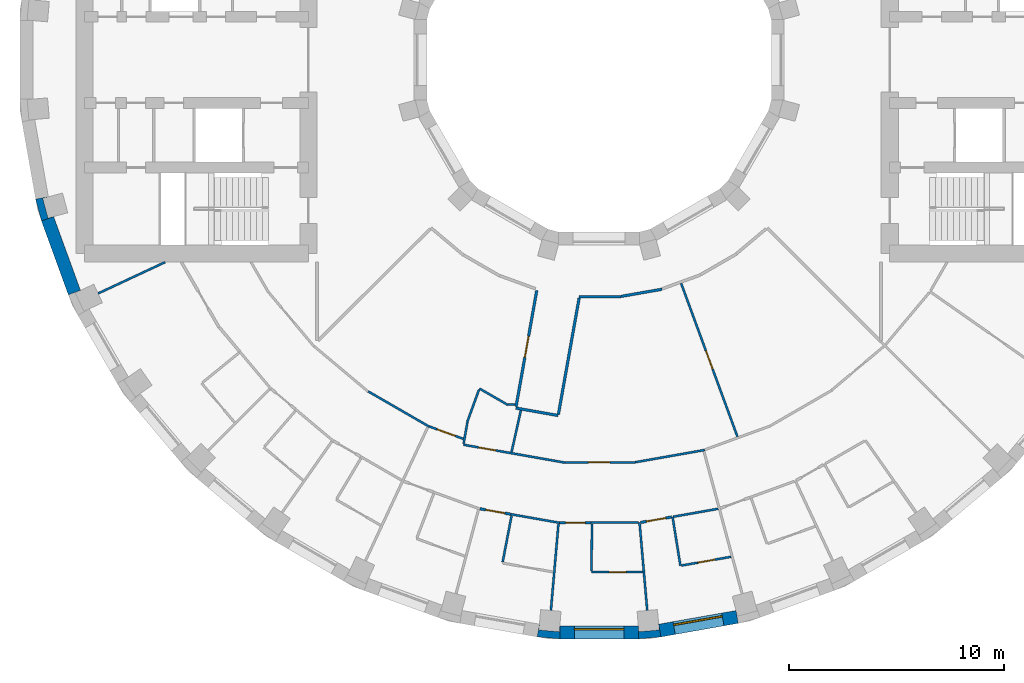
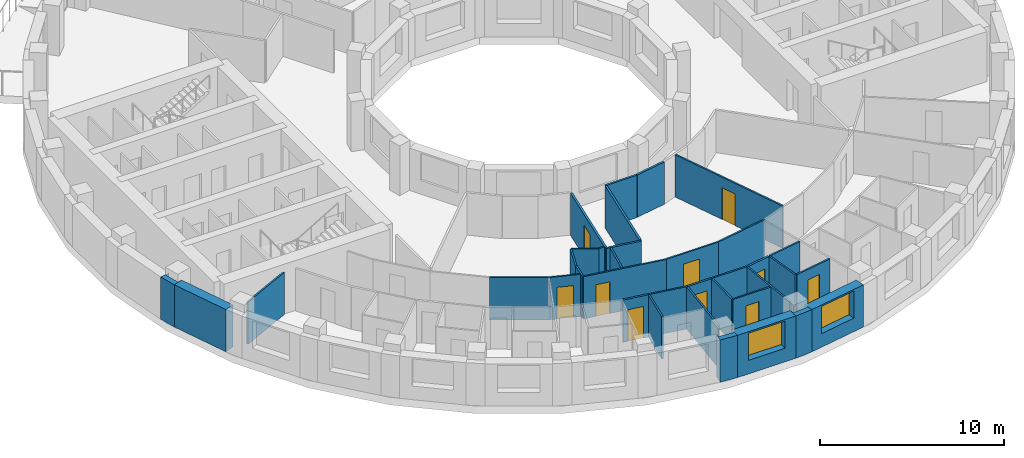
# One storey, part 5 of 14: 36 walls, 10 doors, 2 windows, 12 openings.
"""IFC4 building model written with IfcOpenShell, lengths in metres."""

from ifc_helpers import new_model, si_unit, direction, frame, frame_2d, origin, place, context, subcontext, project, spatial, polyline, rectangle, outline, extrude, material, layer, layer_set, type_object, element, fill, save


model = new_model("IFC4")

# Units and contexts
model_context = context("Model", 3, precision=1e-05, world=origin(), true_north=direction((0.0, 1.0)))
body_context = subcontext(model_context, "Body", "Model", "MODEL_VIEW")
ifc_project = project(units=[si_unit("LENGTHUNIT", "METRE"), si_unit("AREAUNIT", "SQUARE_METRE"), si_unit("VOLUMEUNIT", "CUBIC_METRE"), si_unit("PLANEANGLEUNIT", "RADIAN"), si_unit("MASSUNIT", "GRAM", prefix="KILO")], contexts=[model_context])

# Site, building, storey
site_placement = place(None, origin())
site = spatial("IfcSite", under=ifc_project, at=site_placement, CompositionType="ELEMENT")
building_placement = place(site_placement, origin())
building = spatial("IfcBuilding", under=site, at=building_placement, Name="Saqina Gate Tower", CompositionType="ELEMENT")
storey_placement = place(building_placement, frame((0.0, 0.0, 91.89990234375)))
storey = spatial("IfcBuildingStorey", under=building, at=storey_placement, Name="L25", CompositionType="ELEMENT", Elevation=91.89990234375)

# Walls
ifc_material_1 = material(Name="Brick masonry (buff)", Category="masonry")
wall_type_1 = type_object("IfcWallType", Name="BRICK PIER COPING BUFF", PredefinedType="SOLIDWALL", material=ifc_material_1)
wall_1_placement = place(storey_placement, origin())
element("IfcWall", 1, at=wall_1_placement, inside=storey, type_object=wall_type_1, Name="Pier cap L25 column 20", PredefinedType="SOLIDWALL", context=body_context, shape_type="SweptSolid", body=[
    extrude(outline(polyline([(-26.171875, -6.466796875), (-25.89892578125, -7.485595703125), (-25.335205078125, -7.2802734375), (-25.5947265625, -7.349853515625), (-25.8408203125, -6.43212890625), (-25.5810546875, -6.36279296875), (-26.171875, -6.466796875)])), origin(), (0.0, 0.0, 1.0), 2.800048828125),
])
wall_2_placement = place(storey_placement, origin())
element("IfcWall", 2, at=wall_2_placement, inside=storey, type_object=wall_type_1, Name="Pier cap L25 column 27", PredefinedType="SOLIDWALL", context=body_context, shape_type="SweptSolid", body=[
    extrude(outline(polyline([(-2.87451171875, -26.805419921875), (-1.823974609375, -26.897216796875), (-1.823974609375, -26.29736328125), (-1.847412109375, -26.565185546875), (-2.793701171875, -26.482421875), (-2.770263671875, -26.214599609375), (-2.87451171875, -26.805419921875)])), origin(), (0.0, 0.0, 1.0), 2.800048828125),
])
wall_3_placement = place(storey_placement, origin())
element("IfcWall", 3, at=wall_3_placement, inside=storey, type_object=wall_type_1, Name="Pier cap L25 column 28", PredefinedType="SOLIDWALL", context=body_context, shape_type="SweptSolid", body=[
    extrude(outline(polyline([(2.87451171875, -26.805419921875), (2.770263671875, -26.214599609375), (2.793701171875, -26.482421875), (1.847412109375, -26.565185546875), (1.823974609375, -26.29736328125), (1.823974609375, -26.897216796875), (2.87451171875, -26.805419921875)])), origin(), (0.0, 0.0, 1.0), 2.800048828125),
])

# Wall, opening, window
ifc_material_2 = material(Name="Brick masonry (buff)", Category="masonry")
ifc_layer_1 = layer(ifc_material_2, 0.60009765625)
ifc_layer_set_1 = layer_set([ifc_layer_1], Name="FW-BRICK-BUFF")
wall_type_2 = type_object("IfcWallType", Name="FW-BRICK-BUFF", PredefinedType="SOLIDWALL", material=ifc_layer_set_1)
wall_4_placement = place(storey_placement, frame((-1.823974609375, -26.59716796875, 0.0), z_axis=(0.0, 0.0, 1.0), x_axis=(1.0, 0.0, 0.0)))
wall_4 = element("IfcWall", 4, at=wall_4_placement, inside=storey, type_object=wall_type_2, Name="Facade wall L25 facet 27", PredefinedType="SOLIDWALL", context=body_context, shape_type="SweptSolid", body=[
    extrude(rectangle(XDim=3.64794921875, YDim=0.60009765625, at=frame_2d((1.823974609375, 0.0))), origin(), (0.0, 0.0, 1.0), 2.800048828125),
])
opening_1_placement = place(wall_4_placement, frame((0.673828125, 0.0, 0.89990234375)))
opening_1 = element("IfcOpeningElement", 5, at=opening_1_placement, cuts=wall_4, Name="Opening G07-W16", PredefinedType="OPENING", context=body_context, shape_type="SweptSolid", body=[
    extrude(rectangle(XDim=2.300048828125, YDim=1.800048828125, at=frame_2d((1.14990234375, 0.89990234375))), frame((0.0, 0.31201171875, 0.0), z_axis=(0.0, -1.0, 0.0), x_axis=(1.0, 0.0, 0.0)), (0.0, 0.0, 1.0), 0.6240234375),
])
ifc_material_3 = material(Name="Aluminium glazing", Category="aluminium")
window_type = type_object("IfcWindowType", Name="WN-B", PartitioningType="SINGLE_PANEL", PredefinedType="WINDOW", material=ifc_material_3)
window_1_placement = place(opening_1_placement, origin())
window_1 = element("IfcWindow", 6, at=window_1_placement, inside=storey, type_object=window_type, Name="Window L25 facet 27", OverallHeight=1.800048828125, OverallWidth=2.300048828125, PartitioningType="SINGLE_PANEL", PredefinedType="WINDOW", context=body_context, shape_type="SweptSolid", body=[
    extrude(rectangle(XDim=2.300048828125, YDim=1.800048828125, at=frame_2d((1.14990234375, 0.89990234375))), frame((0.0, 0.179931640625, 0.0), z_axis=(0.0, -1.0, 0.0), x_axis=(1.0, 0.0, 0.0)), (0.0, 0.0, 1.0), 0.06005859375),
])
fill(opening_1, window_1)

wall_5_placement = place(storey_placement, frame((2.822265625, -26.510009765625, 0.0), z_axis=(0.0, 0.0, 1.0), x_axis=(0.984803764455, 0.173670796382, 0.0)))
wall_5 = element("IfcWall", 7, at=wall_5_placement, inside=storey, type_object=wall_type_2, Name="Facade wall L25 facet 28", PredefinedType="SOLIDWALL", context=body_context, shape_type="SweptSolid", body=[
    extrude(rectangle(XDim=3.64794921875, YDim=0.60009765625, at=frame_2d((1.823974609375, 0.0))), origin(), (0.0, 0.0, 1.0), 2.800048828125),
])
opening_2_placement = place(wall_5_placement, frame((0.673828125, 0.0, 0.89990234375)))
opening_2 = element("IfcOpeningElement", 8, at=opening_2_placement, cuts=wall_5, Name="Opening G07-W17", PredefinedType="OPENING", context=body_context, shape_type="SweptSolid", body=[
    extrude(rectangle(XDim=2.300048828125, YDim=1.800048828125, at=frame_2d((1.14990234375, 0.89990234375))), frame((0.0, 0.31201171875, 0.0), z_axis=(0.0, -1.0, 0.0), x_axis=(1.0, 0.0, 0.0)), (0.0, 0.0, 1.0), 0.6240234375),
])
window_2_placement = place(opening_2_placement, origin())
window_2 = element("IfcWindow", 9, at=window_2_placement, inside=storey, type_object=window_type, Name="Window L25 facet 28", OverallHeight=1.800048828125, OverallWidth=2.300048828125, PartitioningType="SINGLE_PANEL", PredefinedType="WINDOW", context=body_context, shape_type="SweptSolid", body=[
    extrude(rectangle(XDim=2.300048828125, YDim=1.800048828125, at=frame_2d((1.14990234375, 0.89990234375))), frame((0.0, 0.179931640625, 0.0), z_axis=(0.0, -1.0, 0.0), x_axis=(1.0, 0.0, 0.0)), (0.0, 0.0, 1.0), 0.06005859375),
])
fill(opening_2, window_2)

# Walls
ifc_material_4 = material(Name="Glazed ceramic tile", Category="ceramic")
ifc_layer_2 = layer(ifc_material_4, 0.60009765625)
ifc_layer_set_2 = layer_set([ifc_layer_2], Name="FW-TILE")
wall_type_3 = type_object("IfcWallType", Name="FW-TILE", PredefinedType="SOLIDWALL", material=ifc_layer_set_2)
wall_6_placement = place(storey_placement, frame((-25.616943359375, -7.3828125, 0.0), z_axis=(0.0, 0.0, 1.0), x_axis=(0.341990236633, -0.939703505393, 0.0)))
element("IfcWall", 10, at=wall_6_placement, inside=storey, type_object=wall_type_3, Name="Facade wall L25 facet 20", PredefinedType="SOLIDWALL", context=body_context, shape_type="SweptSolid", body=[
    extrude(rectangle(XDim=3.64794921875, YDim=0.60009765625, at=frame_2d((1.823974609375, 0.0))), origin(), (0.0, 0.0, 1.0), 2.800048828125),
])
ifc_material_5 = material(Name="Gypsum board on steel studs, 100 mm", Category="steel")
ifc_layer_3 = layer(ifc_material_5, 0.10009765625)
ifc_layer_set_3 = layer_set([ifc_layer_3], Name="PARTITION 100")
wall_type_4 = type_object("IfcWallType", Name="PARTITION 100", PredefinedType="PARTITIONING", material=ifc_layer_set_3)
wall_7_placement = place(storey_placement, frame((1.881103515625, -21.4970703125, 0.0), z_axis=(0.0, 0.0, 1.0), x_axis=(0.087060211484, -0.996203051379, 0.0)))
element("IfcWall", 11, at=wall_7_placement, inside=storey, type_object=wall_type_4, Name="PARTITION PW3-02", PredefinedType="PARTITIONING", context=body_context, shape_type="SweptSolid", body=[
    extrude(rectangle(XDim=4.0859375, YDim=0.10009765625, at=frame_2d((2.04296875, 0.0))), origin(), (0.0, 0.0, 1.0), 2.800048828125),
])
wall_8_placement = place(storey_placement, frame((3.4140625, -21.22705078125, 0.0), z_axis=(0.0, 0.0, 1.0), x_axis=(0.15868179071, -0.987329777378, 0.0)))
element("IfcWall", 12, at=wall_8_placement, inside=storey, type_object=wall_type_4, Name="PARTITION PW3-03", PredefinedType="PARTITIONING", context=body_context, shape_type="SweptSolid", body=[
    extrude(rectangle(XDim=2.300048828125, YDim=0.10009765625, at=frame_2d((1.14990234375, 0.0))), origin(), (0.0, 0.0, 1.0), 2.800048828125),
])

# Wall, opening, door
wall_9_placement = place(storey_placement, frame((3.813232421875, -10.384521484375, 0.0), z_axis=(0.0, 0.0, 1.0), x_axis=(0.344746287393, -0.938695902478, 0.0)))
wall_9 = element("IfcWall", 13, at=wall_9_placement, inside=storey, type_object=wall_type_4, Name="PARTITION PW3-07", PredefinedType="PARTITIONING", context=body_context, shape_type="SweptSolid", body=[
    extrude(rectangle(XDim=7.586669921875, YDim=0.10009765625, at=frame_2d((3.79345703125, 0.0))), origin(), (0.0, 0.0, 1.0), 2.800048828125),
])
opening_3_placement = place(wall_9_placement, frame((3.336181640625, 0.0, 0.0)))
opening_3 = element("IfcOpeningElement", 14, at=opening_3_placement, cuts=wall_9, Name="Opening G07-D44", PredefinedType="OPENING", context=body_context, shape_type="SweptSolid", body=[
    extrude(rectangle(XDim=0.89990234375, YDim=2.10009765625, at=frame_2d((0.449951171875, 1.050048828125))), frame((0.0, 0.06201171875, 0.0), z_axis=(0.0, -1.0, 0.0), x_axis=(1.0, 0.0, 0.0)), (0.0, 0.0, 1.0), 0.1240234375),
])
ifc_material_6 = material(Name="Timber door leaf, 900 mm", Category="wood")
door_type_1 = type_object("IfcDoorType", Name="DOOR 900 TIMBER", OperationType="SINGLE_SWING_LEFT", PredefinedType="DOOR", material=ifc_material_6)
door_1_placement = place(opening_3_placement, origin())
door_1 = element("IfcDoor", 15, at=door_1_placement, inside=storey, type_object=door_type_1, Name="DOOR G07-D44", OperationType="SINGLE_SWING_LEFT", OverallHeight=2.10009765625, OverallWidth=0.89990234375, PredefinedType="DOOR", context=body_context, shape_type="SweptSolid", body=[
    extrude(rectangle(XDim=0.89990234375, YDim=2.10009765625, at=frame_2d((0.449951171875, 1.050048828125))), frame((0.0, 0.02490234375, 0.0), z_axis=(0.0, -1.0, 0.0), x_axis=(1.0, 0.0, 0.0)), (0.0, 0.0, 1.0), 0.050048828125),
])
fill(opening_3, door_1)

# Walls
wall_10_placement = place(storey_placement, frame((-10.72265625, -15.401123046875, 0.0), z_axis=(0.0, 0.0, 1.0), x_axis=(0.866002935623, -0.500038913978, 0.0)))
element("IfcWall", 16, at=wall_10_placement, inside=storey, type_object=wall_type_4, Name="PARTITION PW3-32", PredefinedType="PARTITIONING", context=body_context, shape_type="SweptSolid", body=[
    extrude(rectangle(XDim=3.272216796875, YDim=0.10009765625, at=frame_2d((1.63623046875, 0.0))), origin(), (0.0, 0.0, 1.0), 2.800048828125),
])
wall_11_placement = place(storey_placement, frame((-5.556884765625, -15.26708984375, 0.0), z_axis=(0.0, 0.0, 1.0), x_axis=(0.866084140742, -0.499898250802, 0.0)))
element("IfcWall", 17, at=wall_11_placement, inside=storey, type_object=wall_type_4, Name="PARTITION PW3-33", PredefinedType="PARTITIONING", context=body_context, shape_type="SweptSolid", body=[
    extrude(rectangle(XDim=1.522705078125, YDim=0.10009765625, at=frame_2d((0.76123046875, 0.0))), origin(), (0.0, 0.0, 1.0), 2.800048828125),
])

# Wall, opening, door
wall_12_placement = place(storey_placement, frame((-7.885986328125, -17.029052734375, 0.0), z_axis=(0.0, 0.0, 1.0), x_axis=(0.939806110693, -0.341708171258, 0.0)))
wall_12 = element("IfcWall", 18, at=wall_12_placement, inside=storey, type_object=wall_type_4, Name="PARTITION PW3-38", PredefinedType="PARTITIONING", context=body_context, shape_type="SweptSolid", body=[
    extrude(rectangle(XDim=1.685546875, YDim=0.10009765625, at=frame_2d((0.8427734375, 0.0))), origin(), (0.0, 0.0, 1.0), 2.800048828125),
])
opening_4_placement = place(wall_12_placement, frame((0.392578125, 0.0, 0.0)))
opening_4 = element("IfcOpeningElement", 19, at=opening_4_placement, cuts=wall_12, Name="Opening G07-D32", PredefinedType="OPENING", context=body_context, shape_type="SweptSolid", body=[
    extrude(rectangle(XDim=0.89990234375, YDim=2.10009765625, at=frame_2d((0.449951171875, 1.050048828125))), frame((0.0, 0.06201171875, 0.0), z_axis=(0.0, -1.0, 0.0), x_axis=(1.0, 0.0, 0.0)), (0.0, 0.0, 1.0), 0.1240234375),
])
door_2_placement = place(opening_4_placement, origin())
door_2 = element("IfcDoor", 20, at=door_2_placement, inside=storey, type_object=door_type_1, Name="DOOR G07-D32", OperationType="SINGLE_SWING_RIGHT", OverallHeight=2.10009765625, OverallWidth=0.89990234375, PredefinedType="DOOR", context=body_context, shape_type="SweptSolid", body=[
    extrude(rectangle(XDim=0.89990234375, YDim=2.10009765625, at=frame_2d((0.449951171875, 1.050048828125))), frame((0.0, 0.02490234375, 0.0), z_axis=(0.0, -1.0, 0.0), x_axis=(1.0, 0.0, 0.0)), (0.0, 0.0, 1.0), 0.050048828125),
])
fill(opening_4, door_2)

# Wall
wall_13_placement = place(storey_placement, frame((-4.101318359375, -21.105224609375, 0.0), z_axis=(0.0, 0.0, 1.0), x_axis=(0.984783558818, -0.173785333909, 0.0)))
element("IfcWall", 21, at=wall_13_placement, inside=storey, type_object=wall_type_4, Name="PARTITION PW3-45", PredefinedType="PARTITIONING", context=body_context, shape_type="SweptSolid", body=[
    extrude(rectangle(XDim=2.305419921875, YDim=0.10009765625, at=frame_2d((1.15283203125, 0.0))), origin(), (0.0, 0.0, 1.0), 2.800048828125),
])

# Wall, opening, door
wall_14_placement = place(storey_placement, frame((-6.300048828125, -17.8779296875, 0.0), z_axis=(0.0, 0.0, 1.0), x_axis=(0.984813837489, -0.173613667348, 0.0)))
wall_14 = element("IfcWall", 22, at=wall_14_placement, inside=storey, type_object=wall_type_4, Name="PARTITION PW3-46", PredefinedType="PARTITIONING", context=body_context, shape_type="SweptSolid", body=[
    extrude(rectangle(XDim=4.786865234375, YDim=0.10009765625, at=frame_2d((2.3935546875, 0.0))), origin(), (0.0, 0.0, 1.0), 2.800048828125),
])
opening_5_placement = place(wall_14_placement, frame((0.72900390625, 0.0, 0.0)))
opening_5 = element("IfcOpeningElement", 23, at=opening_5_placement, cuts=wall_14, Name="Opening G07-D34", PredefinedType="OPENING", context=body_context, shape_type="SweptSolid", body=[
    extrude(rectangle(XDim=0.800048828125, YDim=2.10009765625, at=frame_2d((0.39990234375, 1.050048828125))), frame((0.0, 0.06201171875, 0.0), z_axis=(0.0, -1.0, 0.0), x_axis=(1.0, 0.0, 0.0)), (0.0, 0.0, 1.0), 0.1240234375),
])
ifc_material_7 = material(Name="Timber door leaf, 800 mm", Category="wood")
door_type_2 = type_object("IfcDoorType", Name="DOOR 800 TIMBER", OperationType="SINGLE_SWING_LEFT", PredefinedType="DOOR", material=ifc_material_7)
door_3_placement = place(opening_5_placement, frame((0.800048828125, 0.0, 0.0), z_axis=(0.0, 0.0, 1.0), x_axis=(-1.0, 0.0, 0.0)))
door_3 = element("IfcDoor", 24, at=door_3_placement, inside=storey, type_object=door_type_2, Name="DOOR G07-D34", OperationType="SINGLE_SWING_RIGHT", OverallHeight=2.10009765625, OverallWidth=0.800048828125, PredefinedType="DOOR", context=body_context, shape_type="SweptSolid", body=[
    extrude(rectangle(XDim=0.800048828125, YDim=2.10009765625, at=frame_2d((0.39990234375, 1.050048828125))), frame((0.0, 0.02490234375, 0.0), z_axis=(0.0, -1.0, 0.0), x_axis=(1.0, 0.0, 0.0)), (0.0, 0.0, 1.0), 0.050048828125),
])
fill(opening_5, door_3)

wall_15_placement = place(storey_placement, frame((-0.35888671875, -23.797119140625, 0.0), z_axis=(0.0, 0.0, 1.0), x_axis=(1.0, 0.0, 0.0)))
wall_15 = element("IfcWall", 25, at=wall_15_placement, inside=storey, type_object=wall_type_4, Name="PARTITION PW3-50", PredefinedType="PARTITIONING", context=body_context, shape_type="SweptSolid", body=[
    extrude(rectangle(XDim=2.390869140625, YDim=0.10009765625, at=frame_2d((1.1953125, 0.0))), origin(), (0.0, 0.0, 1.0), 2.800048828125),
])
opening_6_placement = place(wall_15_placement, frame((0.820556640625, 0.0, 0.0)))
opening_6 = element("IfcOpeningElement", 26, at=opening_6_placement, cuts=wall_15, Name="Opening G07-D40", PredefinedType="OPENING", context=body_context, shape_type="SweptSolid", body=[
    extrude(rectangle(XDim=0.800048828125, YDim=2.10009765625, at=frame_2d((0.39990234375, 1.050048828125))), frame((0.0, 0.06201171875, 0.0), z_axis=(0.0, -1.0, 0.0), x_axis=(1.0, 0.0, 0.0)), (0.0, 0.0, 1.0), 0.1240234375),
])
door_4_placement = place(opening_6_placement, frame((0.800048828125, 0.0, 0.0), z_axis=(0.0, 0.0, 1.0), x_axis=(-1.0, 0.0, 0.0)))
door_4 = element("IfcDoor", 27, at=door_4_placement, inside=storey, type_object=door_type_2, Name="DOOR G07-D40", OperationType="SINGLE_SWING_LEFT", OverallHeight=2.10009765625, OverallWidth=0.800048828125, PredefinedType="DOOR", context=body_context, shape_type="SweptSolid", body=[
    extrude(rectangle(XDim=0.800048828125, YDim=2.10009765625, at=frame_2d((0.39990234375, 1.050048828125))), frame((0.0, 0.02490234375, 0.0), z_axis=(0.0, -1.0, 0.0), x_axis=(1.0, 0.0, 0.0)), (0.0, 0.0, 1.0), 0.050048828125),
])
fill(opening_6, door_4)

# Wall
wall_16_placement = place(storey_placement, frame((-0.3740234375, -21.4970703125, 0.0), z_axis=(0.0, 0.0, 1.0), x_axis=(1.0, 0.0, 0.0)))
element("IfcWall", 28, at=wall_16_placement, inside=storey, type_object=wall_type_4, Name="PARTITION PW3-51", PredefinedType="PARTITIONING", context=body_context, shape_type="SweptSolid", body=[
    extrude(rectangle(XDim=2.205078125, YDim=0.10009765625, at=frame_2d((1.1025390625, 0.0))), origin(), (0.0, 0.0, 1.0), 2.800048828125),
])

# Wall, opening, door
wall_17_placement = place(storey_placement, frame((-1.5859375, -18.698974609375, 0.0), z_axis=(0.0, 0.0, 1.0), x_axis=(1.0, 0.0, 0.0)))
wall_17 = element("IfcWall", 29, at=wall_17_placement, inside=storey, type_object=wall_type_4, Name="PARTITION PW3-52", PredefinedType="PARTITIONING", context=body_context, shape_type="SweptSolid", body=[
    extrude(rectangle(XDim=3.272705078125, YDim=0.10009765625, at=frame_2d((1.63623046875, 0.0))), origin(), (0.0, 0.0, 1.0), 2.800048828125),
])
opening_7_placement = place(wall_17_placement, frame((1.0859375, 0.0, 0.0)))
opening_7 = element("IfcOpeningElement", 30, at=opening_7_placement, cuts=wall_17, Name="Opening G07-D39", PredefinedType="OPENING", context=body_context, shape_type="SweptSolid", body=[
    extrude(rectangle(XDim=1.0, YDim=2.10009765625, at=frame_2d((0.5, 1.050048828125))), frame((0.0, 0.06201171875, 0.0), z_axis=(0.0, -1.0, 0.0), x_axis=(1.0, 0.0, 0.0)), (0.0, 0.0, 1.0), 0.1240234375),
])
ifc_material_8 = material(Name="Timber door leaf, 1000 mm", Category="wood")
door_type_3 = type_object("IfcDoorType", Name="DOOR 1000 TIMBER", OperationType="SINGLE_SWING_LEFT", PredefinedType="DOOR", material=ifc_material_8)
door_5_placement = place(opening_7_placement, origin())
door_5 = element("IfcDoor", 31, at=door_5_placement, inside=storey, type_object=door_type_3, Name="DOOR G07-D39", OperationType="SINGLE_SWING_LEFT", OverallHeight=2.10009765625, OverallWidth=1.0, PredefinedType="DOOR", context=body_context, shape_type="SweptSolid", body=[
    extrude(rectangle(XDim=1.0, YDim=2.10009765625, at=frame_2d((0.5, 1.050048828125))), frame((0.0, 0.02490234375, 0.0), z_axis=(0.0, -1.0, 0.0), x_axis=(1.0, 0.0, 0.0)), (0.0, 0.0, 1.0), 0.050048828125),
])
fill(opening_7, door_5)

# Wall
wall_18_placement = place(storey_placement, frame((-4.238037109375, -16.001953125, 0.0), z_axis=(0.0, 0.0, 1.0), x_axis=(1.0, 0.0, 0.0)))
element("IfcWall", 32, at=wall_18_placement, inside=storey, type_object=wall_type_4, Name="PARTITION PW3-53", PredefinedType="PARTITIONING", context=body_context, shape_type="SweptSolid", body=[
    extrude(rectangle(XDim=0.339111328125, YDim=0.10009765625, at=frame_2d((0.16943359375, 0.0))), origin(), (0.0, 0.0, 1.0), 2.800048828125),
])

# Wall, opening, door
wall_19_placement = place(storey_placement, frame((3.828125, -23.4892578125, 0.0), z_axis=(0.0, 0.0, 1.0), x_axis=(0.984811890041, 0.173624713778, 0.0)))
wall_19 = element("IfcWall", 33, at=wall_19_placement, inside=storey, type_object=wall_type_4, Name="PARTITION PW3-58", PredefinedType="PARTITIONING", context=body_context, shape_type="SweptSolid", body=[
    extrude(rectangle(XDim=2.34130859375, YDim=0.10009765625, at=frame_2d((1.170654296875, 0.0))), origin(), (0.0, 0.0, 1.0), 2.800048828125),
])
opening_8_placement = place(wall_19_placement, frame((0.7705078125, 0.0, 0.0)))
opening_8 = element("IfcOpeningElement", 34, at=opening_8_placement, cuts=wall_19, Name="Opening G07-D42", PredefinedType="OPENING", context=body_context, shape_type="SweptSolid", body=[
    extrude(rectangle(XDim=0.800048828125, YDim=2.10009765625, at=frame_2d((0.39990234375, 1.050048828125))), frame((0.0, 0.06201171875, 0.0), z_axis=(0.0, -1.0, 0.0), x_axis=(1.0, 0.0, 0.0)), (0.0, 0.0, 1.0), 0.1240234375),
])
door_6_placement = place(opening_8_placement, frame((0.800048828125, 0.0, 0.0), z_axis=(0.0, 0.0, 1.0), x_axis=(-1.0, 0.0, 0.0)))
door_6 = element("IfcDoor", 35, at=door_6_placement, inside=storey, type_object=door_type_2, Name="DOOR G07-D42", OperationType="SINGLE_SWING_LEFT", OverallHeight=2.10009765625, OverallWidth=0.800048828125, PredefinedType="DOOR", context=body_context, shape_type="SweptSolid", body=[
    extrude(rectangle(XDim=0.800048828125, YDim=2.10009765625, at=frame_2d((0.39990234375, 1.050048828125))), frame((0.0, 0.02490234375, 0.0), z_axis=(0.0, -1.0, 0.0), x_axis=(1.0, 0.0, 0.0)), (0.0, 0.0, 1.0), 0.050048828125),
])
fill(opening_8, door_6)

# Walls
wall_20_placement = place(storey_placement, frame((3.4462890625, -21.221435546875, 0.0), z_axis=(0.0, 0.0, 1.0), x_axis=(0.984788192249, 0.173759075753, 0.0)))
element("IfcWall", 36, at=wall_20_placement, inside=storey, type_object=wall_type_4, Name="PARTITION PW3-59", PredefinedType="PARTITIONING", context=body_context, shape_type="SweptSolid", body=[
    extrude(rectangle(XDim=2.12158203125, YDim=0.10009765625, at=frame_2d((1.060791015625, 0.0))), origin(), (0.0, 0.0, 1.0), 2.800048828125),
])
wall_21_placement = place(storey_placement, frame((1.685302734375, -18.6904296875, 0.0), z_axis=(0.0, 0.0, 1.0), x_axis=(0.984801579175, 0.1736831876, 0.0)))
element("IfcWall", 37, at=wall_21_placement, inside=storey, type_object=wall_type_4, Name="PARTITION PW3-60", PredefinedType="PARTITIONING", context=body_context, shape_type="SweptSolid", body=[
    extrude(rectangle(XDim=3.2724609375, YDim=0.10009765625, at=frame_2d((1.63623046875, 0.0))), origin(), (0.0, 0.0, 1.0), 2.800048828125),
])
wall_22_placement = place(storey_placement, frame((-23.260009765625, -10.84716796875, 0.0), z_axis=(0.0, 0.0, 1.0), x_axis=(0.906121146584, 0.423018282954, 0.0)))
element("IfcWall", 38, at=wall_22_placement, inside=storey, type_object=wall_type_4, Name="PARTITION PW3-70", PredefinedType="PARTITIONING", context=body_context, shape_type="SweptSolid", body=[
    extrude(rectangle(XDim=3.42138671875, YDim=0.10009765625, at=frame_2d((1.710693359375, 0.0))), origin(), (0.0, 0.0, 1.0), 2.800048828125),
])
wall_23_placement = place(storey_placement, frame((-6.123291015625, -16.82275390625, 0.0), z_axis=(0.0, 0.0, 1.0), x_axis=(0.342085762609, 0.939668734725, 0.0)))
element("IfcWall", 39, at=wall_23_placement, inside=storey, type_object=wall_type_4, Name="PARTITION PW3-94", PredefinedType="PARTITIONING", context=body_context, shape_type="SweptSolid", body=[
    extrude(rectangle(XDim=1.6015625, YDim=0.10009765625, at=frame_2d((0.80078125, 0.0))), origin(), (0.0, 0.0, 1.0), 2.800048828125),
])
wall_24_placement = place(storey_placement, frame((-4.065185546875, -18.22021484375, 0.0), z_axis=(0.0, 0.0, 1.0), x_axis=(0.218112956179, 0.975923530994, 0.0)))
element("IfcWall", 40, at=wall_24_placement, inside=storey, type_object=wall_type_4, Name="PARTITION PW3-97", PredefinedType="PARTITIONING", context=body_context, shape_type="SweptSolid", body=[
    extrude(rectangle(XDim=1.989013671875, YDim=0.10009765625, at=frame_2d((0.99462890625, 0.0))), origin(), (0.0, 0.0, 1.0), 2.800048828125),
])
wall_25_placement = place(storey_placement, frame((-4.4765625, -23.323974609375, 0.0), z_axis=(0.0, 0.0, 1.0), x_axis=(0.188685986474, 0.982037473067, 0.0)))
element("IfcWall", 41, at=wall_25_placement, inside=storey, type_object=wall_type_4, Name="PARTITION PW3-98", PredefinedType="PARTITIONING", context=body_context, shape_type="SweptSolid", body=[
    extrude(rectangle(XDim=2.18798828125, YDim=0.10009765625, at=frame_2d((1.093994140625, 0.0))), origin(), (0.0, 0.0, 1.0), 2.800048828125),
])
wall_26_placement = place(storey_placement, frame((-6.29150390625, -17.82763671875, 0.0), z_axis=(0.0, 0.0, 1.0), x_axis=(0.174455149241, 0.984665121198, 0.0)))
element("IfcWall", 42, at=wall_26_placement, inside=storey, type_object=wall_type_4, Name="PARTITION PW3-100", PredefinedType="PARTITIONING", context=body_context, shape_type="SweptSolid", body=[
    extrude(rectangle(XDim=1.018798828125, YDim=0.10009765625, at=frame_2d((0.50927734375, 0.0))), origin(), (0.0, 0.0, 1.0), 2.800048828125),
])
wall_27_placement = place(storey_placement, frame((-2.23681640625, -25.5673828125, 0.0), z_axis=(0.0, 0.0, 1.0), x_axis=(0.087137593131, 0.996196285811, 0.0)))
element("IfcWall", 43, at=wall_27_placement, inside=storey, type_object=wall_type_4, Name="PARTITION PW3-102", PredefinedType="PARTITIONING", context=body_context, shape_type="SweptSolid", body=[
    extrude(rectangle(XDim=4.0234375, YDim=0.10009765625, at=frame_2d((2.01171875, 0.0))), origin(), (0.0, 0.0, 1.0), 2.800048828125),
])
wall_28_placement = place(storey_placement, frame((-0.358154296875, -23.7470703125, 0.0), z_axis=(0.0, 0.0, 1.0), x_axis=(0.015176823242, 0.999884825386, 0.0)))
element("IfcWall", 44, at=wall_28_placement, inside=storey, type_object=wall_type_4, Name="PARTITION PW3-104", PredefinedType="PARTITIONING", context=body_context, shape_type="SweptSolid", body=[
    extrude(rectangle(XDim=2.187744140625, YDim=0.10009765625, at=frame_2d((1.09375, 0.0))), origin(), (0.0, 0.0, 1.0), 2.800048828125),
])

# Wall, opening, door
ifc_material_9 = material(Name="Gypsum board on steel studs, 125 mm, fire rated", Category="steel")
ifc_layer_4 = layer(ifc_material_9, 0.125)
ifc_layer_set_4 = layer_set([ifc_layer_4], Name="PARTITION EI 30 125")
wall_type_5 = type_object("IfcWallType", Name="PARTITION EI 30 125", PredefinedType="PARTITIONING", material=ifc_layer_set_4)
wall_29_placement = place(storey_placement, frame((-5.53564453125, -20.852783203125, 0.0), z_axis=(0.0, 0.0, 1.0), x_axis=(0.984862774054, -0.173335848233, 0.0)))
wall_29 = element("IfcWall", 45, at=wall_29_placement, inside=storey, type_object=wall_type_5, Name="PARTITION PW1-23", PredefinedType="PARTITIONING", context=body_context, shape_type="SweptSolid", body=[
    extrude(rectangle(XDim=1.456298828125, YDim=0.125, at=frame_2d((0.72802734375, 0.0))), origin(), (0.0, 0.0, 1.0), 2.800048828125),
])
opening_9_placement = place(wall_29_placement, frame((0.2783203125, 0.0, 0.0)))
opening_9 = element("IfcOpeningElement", 46, at=opening_9_placement, cuts=wall_29, Name="Opening G07-D36", PredefinedType="OPENING", context=body_context, shape_type="SweptSolid", body=[
    extrude(rectangle(XDim=0.89990234375, YDim=2.10009765625, at=frame_2d((0.449951171875, 1.050048828125))), frame((0.0, 0.074462890625, 0.0), z_axis=(0.0, -1.0, 0.0), x_axis=(1.0, 0.0, 0.0)), (0.0, 0.0, 1.0), 0.14892578125),
])
ifc_material_10 = material(Name="Fire door leaf EI 30, 900 mm")
door_type_4 = type_object("IfcDoorType", Name="DOOR 900 EI 30", OperationType="SINGLE_SWING_LEFT", PredefinedType="DOOR", material=ifc_material_10)
door_7_placement = place(opening_9_placement, origin())
door_7 = element("IfcDoor", 47, at=door_7_placement, inside=storey, type_object=door_type_4, Name="DOOR G07-D36", OperationType="SINGLE_SWING_LEFT", OverallHeight=2.10009765625, OverallWidth=0.89990234375, PredefinedType="DOOR", context=body_context, shape_type="SweptSolid", body=[
    extrude(rectangle(XDim=0.89990234375, YDim=2.10009765625, at=frame_2d((0.449951171875, 1.050048828125))), frame((0.0, 0.02490234375, 0.0), z_axis=(0.0, -1.0, 0.0), x_axis=(1.0, 0.0, 0.0)), (0.0, 0.0, 1.0), 0.050048828125),
])
fill(opening_9, door_7)

# Wall
wall_30_placement = place(storey_placement, frame((-3.866943359375, -16.174072265625, 0.0), z_axis=(0.0, 0.0, 1.0), x_axis=(0.984836400178, -0.173485633079, 0.0)))
element("IfcWall", 48, at=wall_30_placement, inside=storey, type_object=wall_type_5, Name="PARTITION PW1-24", PredefinedType="PARTITIONING", context=body_context, shape_type="SweptSolid", body=[
    extrude(rectangle(XDim=1.998291015625, YDim=0.125, at=frame_2d((0.9990234375, 0.0))), origin(), (0.0, 0.0, 1.0), 2.800048828125),
])

# Wall, opening, door
wall_31_placement = place(storey_placement, frame((-1.8310546875, -21.4970703125, 0.0), z_axis=(0.0, 0.0, 1.0), x_axis=(1.0, 0.0, 0.0)))
wall_31 = element("IfcWall", 49, at=wall_31_placement, inside=storey, type_object=wall_type_5, Name="PARTITION PW1-27", PredefinedType="PARTITIONING", context=body_context, shape_type="SweptSolid", body=[
    extrude(rectangle(XDim=1.45703125, YDim=0.125, at=frame_2d((0.728515625, 0.0))), origin(), (0.0, 0.0, 1.0), 2.800048828125),
])
opening_10_placement = place(wall_31_placement, frame((0.278564453125, 0.0, 0.0)))
opening_10 = element("IfcOpeningElement", 50, at=opening_10_placement, cuts=wall_31, Name="Opening G07-D38", PredefinedType="OPENING", context=body_context, shape_type="SweptSolid", body=[
    extrude(rectangle(XDim=0.89990234375, YDim=2.10009765625, at=frame_2d((0.449951171875, 1.050048828125))), frame((0.0, 0.074462890625, 0.0), z_axis=(0.0, -1.0, 0.0), x_axis=(1.0, 0.0, 0.0)), (0.0, 0.0, 1.0), 0.14892578125),
])
door_8_placement = place(opening_10_placement, origin())
door_8 = element("IfcDoor", 51, at=door_8_placement, inside=storey, type_object=door_type_4, Name="DOOR G07-D38", OperationType="SINGLE_SWING_LEFT", OverallHeight=2.10009765625, OverallWidth=0.89990234375, PredefinedType="DOOR", context=body_context, shape_type="SweptSolid", body=[
    extrude(rectangle(XDim=0.89990234375, YDim=2.10009765625, at=frame_2d((0.449951171875, 1.050048828125))), frame((0.0, 0.02490234375, 0.0), z_axis=(0.0, -1.0, 0.0), x_axis=(1.0, 0.0, 0.0)), (0.0, 0.0, 1.0), 0.050048828125),
])
fill(opening_10, door_8)

# Wall
wall_32_placement = place(storey_placement, frame((-0.924072265625, -11.0, 0.0), z_axis=(0.0, 0.0, 1.0), x_axis=(1.0, 0.0, 0.0)))
element("IfcWall", 52, at=wall_32_placement, inside=storey, type_object=wall_type_5, Name="PARTITION PW1-28", PredefinedType="PARTITIONING", context=body_context, shape_type="SweptSolid", body=[
    extrude(rectangle(XDim=1.949462890625, YDim=0.125, at=frame_2d((0.974609375, 0.0))), origin(), (0.0, 0.0, 1.0), 2.800048828125),
])

# Wall, opening, door
wall_33_placement = place(storey_placement, frame((1.93017578125, -21.48828125, 0.0), z_axis=(0.0, 0.0, 1.0), x_axis=(0.984839188687, 0.173469802636, 0.0)))
wall_33 = element("IfcWall", 53, at=wall_33_placement, inside=storey, type_object=wall_type_5, Name="PARTITION PW1-31", PredefinedType="PARTITIONING", context=body_context, shape_type="SweptSolid", body=[
    extrude(rectangle(XDim=1.45654296875, YDim=0.125, at=frame_2d((0.728271484375, 0.0))), origin(), (0.0, 0.0, 1.0), 2.800048828125),
])
opening_11_placement = place(wall_33_placement, frame((0.2783203125, 0.0, 0.0)))
opening_11 = element("IfcOpeningElement", 54, at=opening_11_placement, cuts=wall_33, Name="Opening G07-D41", PredefinedType="OPENING", context=body_context, shape_type="SweptSolid", body=[
    extrude(rectangle(XDim=0.89990234375, YDim=2.10009765625, at=frame_2d((0.449951171875, 1.050048828125))), frame((0.0, 0.074462890625, 0.0), z_axis=(0.0, -1.0, 0.0), x_axis=(1.0, 0.0, 0.0)), (0.0, 0.0, 1.0), 0.14892578125),
])
door_9_placement = place(opening_11_placement, origin())
door_9 = element("IfcDoor", 55, at=door_9_placement, inside=storey, type_object=door_type_4, Name="DOOR G07-D41", OperationType="SINGLE_SWING_LEFT", OverallHeight=2.10009765625, OverallWidth=0.89990234375, PredefinedType="DOOR", context=body_context, shape_type="SweptSolid", body=[
    extrude(rectangle(XDim=0.89990234375, YDim=2.10009765625, at=frame_2d((0.449951171875, 1.050048828125))), frame((0.0, 0.02490234375, 0.0), z_axis=(0.0, -1.0, 0.0), x_axis=(1.0, 0.0, 0.0)), (0.0, 0.0, 1.0), 0.050048828125),
])
fill(opening_11, door_9)

# Walls
wall_34_placement = place(storey_placement, frame((1.0234375, -10.9892578125, 0.0), z_axis=(0.0, 0.0, 1.0), x_axis=(0.98482691703, 0.173539458027, 0.0)))
element("IfcWall", 56, at=wall_34_placement, inside=storey, type_object=wall_type_5, Name="PARTITION PW1-32", PredefinedType="PARTITIONING", context=body_context, shape_type="SweptSolid", body=[
    extrude(rectangle(XDim=1.926025390625, YDim=0.125, at=frame_2d((0.962890625, 0.0))), origin(), (0.0, 0.0, 1.0), 2.800048828125),
])
wall_35_placement = place(storey_placement, frame((-1.887451171875, -16.45947265625, 0.0), z_axis=(0.0, 0.0, 1.0), x_axis=(0.175533190832, 0.984473513568, 0.0)))
element("IfcWall", 57, at=wall_35_placement, inside=storey, type_object=wall_type_5, Name="PARTITION PW1-47", PredefinedType="PARTITIONING", context=body_context, shape_type="SweptSolid", body=[
    extrude(rectangle(XDim=5.4814453125, YDim=0.125, at=frame_2d((2.74072265625, 0.0))), origin(), (0.0, 0.0, 1.0), 2.800048828125),
])

# Wall, opening, door
wall_36_placement = place(storey_placement, frame((-3.85595703125, -16.112548828125, 0.0), z_axis=(0.0, 0.0, 1.0), x_axis=(0.175360511149, 0.984504287004, 0.0)))
wall_36 = element("IfcWall", 58, at=wall_36_placement, inside=storey, type_object=wall_type_5, Name="PARTITION PW1-48", PredefinedType="PARTITIONING", context=body_context, shape_type="SweptSolid", body=[
    extrude(rectangle(XDim=5.481201171875, YDim=0.125, at=frame_2d((2.74072265625, 0.0))), origin(), (0.0, 0.0, 1.0), 2.800048828125),
])
opening_12_placement = place(wall_36_placement, frame((2.328857421875, 0.0, 0.0)))
opening_12 = element("IfcOpeningElement", 59, at=opening_12_placement, cuts=wall_36, Name="Opening G07-D35", PredefinedType="OPENING", context=body_context, shape_type="SweptSolid", body=[
    extrude(rectangle(XDim=1.0, YDim=2.10009765625, at=frame_2d((0.5, 1.050048828125))), frame((0.0, 0.074462890625, 0.0), z_axis=(0.0, -1.0, 0.0), x_axis=(1.0, 0.0, 0.0)), (0.0, 0.0, 1.0), 0.14892578125),
])
ifc_material_11 = material(Name="Fire door leaf EI 30, 1000 mm")
door_type_5 = type_object("IfcDoorType", Name="DOOR 1000 EI 30", OperationType="SINGLE_SWING_LEFT", PredefinedType="DOOR", material=ifc_material_11)
door_10_placement = place(opening_12_placement, origin())
door_10 = element("IfcDoor", 60, at=door_10_placement, inside=storey, type_object=door_type_5, Name="DOOR G07-D35", OperationType="SINGLE_SWING_RIGHT", OverallHeight=2.10009765625, OverallWidth=1.0, PredefinedType="DOOR", context=body_context, shape_type="SweptSolid", body=[
    extrude(rectangle(XDim=1.0, YDim=2.10009765625, at=frame_2d((0.5, 1.050048828125))), frame((0.0, 0.02490234375, 0.0), z_axis=(0.0, -1.0, 0.0), x_axis=(1.0, 0.0, 0.0)), (0.0, 0.0, 1.0), 0.050048828125),
])
fill(opening_12, door_10)

save(model, "model.ifc")
